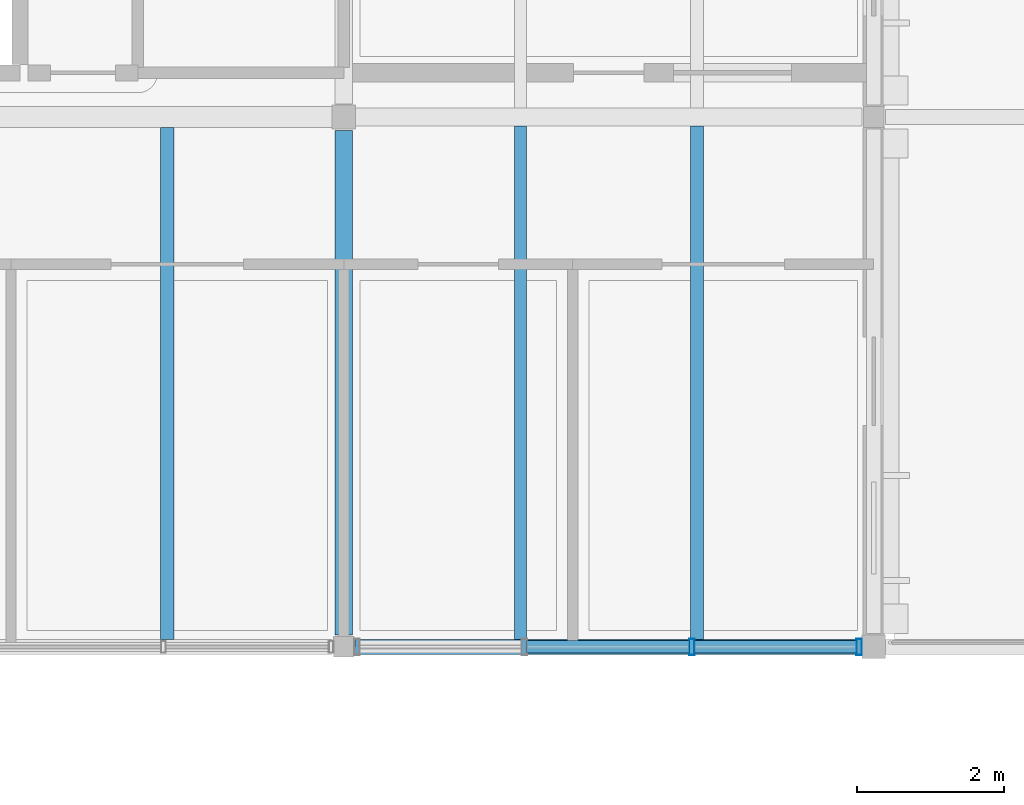
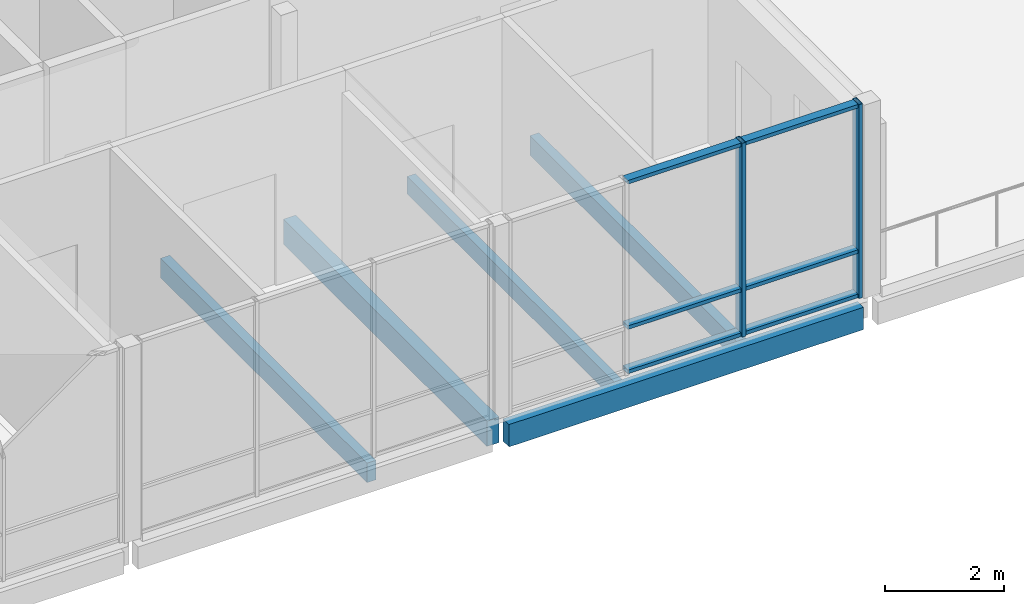
# One storey, part 18 of 57: 8 members, 5 beams, 1 element without a shape of its own.
"""IFC4 building model written with IfcOpenShell, lengths in metres."""

from ifc_helpers import new_model, si_unit, direction, frame, origin, origin_2d, place, context, subcontext, project, spatial, rectangle, hollow_rectangle, extrude, material, material_profile, profile_set, type_object, element, aggregate, save


model = new_model("IFC4")

# Units and contexts
model_context = context("Model", 3, precision=1e-05, world=origin(), true_north=direction((0.0, 1.0)))
body_context = subcontext(model_context, "Body", "Model", "MODEL_VIEW")
ifc_project = project(units=[si_unit("LENGTHUNIT", "METRE"), si_unit("AREAUNIT", "SQUARE_METRE"), si_unit("VOLUMEUNIT", "CUBIC_METRE"), si_unit("PLANEANGLEUNIT", "RADIAN"), si_unit("MASSUNIT", "GRAM", prefix="KILO")], contexts=[model_context])

# Site, building, storey
site_placement = place(None, origin())
site = spatial("IfcSite", under=ifc_project, at=site_placement, CompositionType="ELEMENT")
building_placement = place(site_placement, origin())
building = spatial("IfcBuilding", under=site, at=building_placement, Name="Hawrajan Terrace Health Centre", CompositionType="ELEMENT")
storey_placement = place(building_placement, frame((0.0, 0.0, 13.199951171875)))
storey = spatial("IfcBuildingStorey", under=building, at=storey_placement, Name="L03", CompositionType="ELEMENT", Elevation=13.199951171875)

# Curtain wall, members
ifc_material_1 = material(Name="Anodized bronze aluminium and low-E solar glazing", Category="aluminium")
curtain_wall_type = type_object("IfcCurtainWallType", Name="CW_Diagnostic_SeriesM1", PredefinedType="USERDEFINED", material=ifc_material_1)
curtain_wall_placement = place(storey_placement, origin())
curtain_wall = element("IfcCurtainWall", 1, at=curtain_wall_placement, inside=storey, type_object=curtain_wall_type, Name="Curtain wall CW-L03-167", ObjectType="UNITISED CURTAIN WALL", PredefinedType="USERDEFINED")
ifc_material_2 = material(Name="Anodized bronze aluminium 6063-T6", Category="aluminium")
ifc_material_profile_1 = material_profile(ifc_material_2, hollow_rectangle(XDim=0.074951171875, YDim=0.219970703125, WallThickness=0.0048828125, at=origin_2d()), Name="CW MUL 75x220")
ifc_profile_set_1 = profile_set([ifc_material_profile_1], Name="Anodized bronze aluminium 6063-T6")
member_type_1 = type_object("IfcMemberType", Name="CWMullion_75x220", PredefinedType="MULLION", material=ifc_profile_set_1)
member_1_placement = place(storey_placement, frame((59.7275390625, 45.39990234375, -0.0048828125), z_axis=(0.0, 0.0, 1.0), x_axis=(1.0, 0.0, 0.0)))
member_1 = element("IfcMember", 2, at=member_1_placement, type_object=member_type_1, Name="Mullion CW-L03-167-M3", PredefinedType="MULLION", context=body_context, shape_type="SweptSolid", body=[
    extrude(hollow_rectangle(XDim=0.074951171875, YDim=0.219970703125, WallThickness=0.0048828125, at=origin_2d()), origin(), (0.0, 0.0, 1.0), 3.989990234375),
])
member_2_placement = place(storey_placement, frame((62.00244140625, 45.39990234375, -0.0048828125), z_axis=(0.0, 0.0, 1.0), x_axis=(1.0, 0.0, 0.0)))
member_2 = element("IfcMember", 3, at=member_2_placement, type_object=member_type_1, Name="Mullion CW-L03-167-M4", PredefinedType="MULLION", context=body_context, shape_type="SweptSolid", body=[
    extrude(hollow_rectangle(XDim=0.074951171875, YDim=0.219970703125, WallThickness=0.0048828125, at=origin_2d()), origin(), (0.0, 0.0, 1.0), 3.989990234375),
])
ifc_material_profile_2 = material_profile(ifc_material_2, hollow_rectangle(XDim=0.074951171875, YDim=0.169921875, WallThickness=0.00439453125, at=origin_2d()), Name="CW TRN 75x170")
ifc_profile_set_2 = profile_set([ifc_material_profile_2], Name="Anodized bronze aluminium 6063-T6")
member_type_2 = type_object("IfcMemberType", Name="CWTransom_75x170", PredefinedType="USERDEFINED", material=ifc_profile_set_2)
member_3_placement = place(storey_placement, frame((57.48388671875, 45.39990234375, 0.03759765625), z_axis=(1.0, 0.0, 0.0), x_axis=(0.0, 0.0, 1.0)))
member_3 = element("IfcMember", 4, at=member_3_placement, type_object=member_type_2, Name="Transom CW-L03-167-T2-1", ObjectType="TRANSOM", PredefinedType="USERDEFINED", context=body_context, shape_type="SweptSolid", body=[
    extrude(hollow_rectangle(XDim=0.074951171875, YDim=0.169921875, WallThickness=0.00439453125, at=origin_2d()), origin(), (0.0, 0.0, 1.0), 2.212158203125),
])
member_4_placement = place(storey_placement, frame((57.48388671875, 45.39990234375, 0.949951171875), z_axis=(1.0, 0.0, 0.0), x_axis=(0.0, 0.0, 1.0)))
member_4 = element("IfcMember", 5, at=member_4_placement, type_object=member_type_2, Name="Transom CW-L03-167-T2-2", ObjectType="TRANSOM", PredefinedType="USERDEFINED", context=body_context, shape_type="SweptSolid", body=[
    extrude(hollow_rectangle(XDim=0.074951171875, YDim=0.169921875, WallThickness=0.00439453125, at=origin_2d()), origin(), (0.0, 0.0, 1.0), 2.212158203125),
])
member_5_placement = place(storey_placement, frame((57.48388671875, 45.39990234375, 3.942626953125), z_axis=(1.0, 0.0, 0.0), x_axis=(0.0, 0.0, 1.0)))
member_5 = element("IfcMember", 6, at=member_5_placement, type_object=member_type_2, Name="Transom CW-L03-167-T2-3", ObjectType="TRANSOM", PredefinedType="USERDEFINED", context=body_context, shape_type="SweptSolid", body=[
    extrude(hollow_rectangle(XDim=0.074951171875, YDim=0.169921875, WallThickness=0.00439453125, at=origin_2d()), origin(), (0.0, 0.0, 1.0), 2.212158203125),
])
member_6_placement = place(storey_placement, frame((59.759033203125, 45.39990234375, 0.03759765625), z_axis=(1.0, 0.0, 0.0), x_axis=(0.0, 0.0, 1.0)))
member_6 = element("IfcMember", 7, at=member_6_placement, type_object=member_type_2, Name="Transom CW-L03-167-T3-1", ObjectType="TRANSOM", PredefinedType="USERDEFINED", context=body_context, shape_type="SweptSolid", body=[
    extrude(hollow_rectangle(XDim=0.074951171875, YDim=0.169921875, WallThickness=0.00439453125, at=origin_2d()), origin(), (0.0, 0.0, 1.0), 2.2119140625),
])
member_7_placement = place(storey_placement, frame((59.759033203125, 45.39990234375, 0.949951171875), z_axis=(1.0, 0.0, 0.0), x_axis=(0.0, 0.0, 1.0)))
member_7 = element("IfcMember", 8, at=member_7_placement, type_object=member_type_2, Name="Transom CW-L03-167-T3-2", ObjectType="TRANSOM", PredefinedType="USERDEFINED", context=body_context, shape_type="SweptSolid", body=[
    extrude(hollow_rectangle(XDim=0.074951171875, YDim=0.169921875, WallThickness=0.00439453125, at=origin_2d()), origin(), (0.0, 0.0, 1.0), 2.2119140625),
])
member_8_placement = place(storey_placement, frame((59.759033203125, 45.39990234375, 3.942626953125), z_axis=(1.0, 0.0, 0.0), x_axis=(0.0, 0.0, 1.0)))
member_8 = element("IfcMember", 9, at=member_8_placement, type_object=member_type_2, Name="Transom CW-L03-167-T3-3", ObjectType="TRANSOM", PredefinedType="USERDEFINED", context=body_context, shape_type="SweptSolid", body=[
    extrude(hollow_rectangle(XDim=0.074951171875, YDim=0.169921875, WallThickness=0.00439453125, at=origin_2d()), origin(), (0.0, 0.0, 1.0), 2.2119140625),
])
aggregate(curtain_wall, [member_1, member_2, member_3, member_4, member_5, member_6, member_7, member_8])

# Beams
ifc_material_3 = material(Name="Glulam GL32h", Category="wood")
ifc_material_profile_3 = material_profile(ifc_material_3, rectangle(XDim=0.239990234375, YDim=0.52001953125, at=origin_2d()), Name="GL BM 240x520")
ifc_profile_set_3 = profile_set([ifc_material_profile_3], Name="Glulam GL32h")
beam_type_1 = type_object("IfcBeamType", Name="GlulamGirder_240x520", PredefinedType="BEAM", material=ifc_profile_set_3)
beam_1_placement = place(storey_placement, frame((55.0, 45.56005859375, -0.469970703125), z_axis=(0.0, 1.0, 0.0), x_axis=(-1.0, 0.0, 0.0)))
element("IfcBeam", 10, at=beam_1_placement, inside=storey, type_object=beam_type_1, Name="Beam BM-Y-L03-W-X08-6", PredefinedType="BEAM", context=body_context, shape_type="SweptSolid", body=[
    extrude(rectangle(XDim=0.239990234375, YDim=0.52001953125, at=origin_2d()), origin(), (0.0, 0.0, 1.0), 6.85986328125),
])
ifc_material_4 = material(Name="Glulam GL28h", Category="wood")
ifc_material_profile_4 = material_profile(ifc_material_4, rectangle(XDim=0.159912109375, YDim=0.360107421875, at=origin_2d()), Name="GL JST 160x360")
ifc_profile_set_4 = profile_set([ifc_material_profile_4], Name="Glulam GL28h")
beam_type_2 = type_object("IfcBeamType", Name="GlulamJoist_160x360", PredefinedType="JOIST", material=ifc_profile_set_4)
beam_2_placement = place(storey_placement, frame((57.39990234375, 45.5, -0.39990234375), z_axis=(0.0, 1.0, 0.0), x_axis=(-1.0, 0.0, 0.0)))
element("IfcBeam", 11, at=beam_2_placement, inside=storey, type_object=beam_type_2, Name="Secondary joist JST-L03-W-08-6-1", PredefinedType="JOIST", context=body_context, shape_type="SweptSolid", body=[
    extrude(rectangle(XDim=0.159912109375, YDim=0.360107421875, at=origin_2d()), origin(), (0.0, 0.0, 1.0), 6.97998046875),
])
ifc_material_profile_5 = material_profile(ifc_material_4, rectangle(XDim=0.179931640625, YDim=0.39990234375, at=origin_2d()), Name="GL JST 180x400")
ifc_profile_set_5 = profile_set([ifc_material_profile_5], Name="Glulam GL28h")
beam_type_3 = type_object("IfcBeamType", Name="GlulamJoist_180x400", PredefinedType="JOIST", material=ifc_profile_set_5)
beam_3_placement = place(storey_placement, frame((52.60009765625, 45.5, -0.409912109375), z_axis=(0.0, 1.0, 0.0), x_axis=(-1.0, 0.0, 0.0)))
element("IfcBeam", 12, at=beam_3_placement, inside=storey, type_object=beam_type_3, Name="Secondary joist JST-L03-W-07-6-2", PredefinedType="JOIST", context=body_context, shape_type="SweptSolid", body=[
    extrude(rectangle(XDim=0.179931640625, YDim=0.39990234375, at=origin_2d()), origin(), (0.0, 0.0, 1.0), 6.9599609375),
])
beam_4_placement = place(storey_placement, frame((59.800048828125, 45.5, -0.419921875), z_axis=(0.0, 1.0, 0.0), x_axis=(-1.0, 0.0, 0.0)))
element("IfcBeam", 13, at=beam_4_placement, inside=storey, type_object=beam_type_3, Name="Secondary joist JST-L03-W-08-6-2", PredefinedType="JOIST", context=body_context, shape_type="SweptSolid", body=[
    extrude(rectangle(XDim=0.179931640625, YDim=0.39990234375, at=origin_2d()), origin(), (0.0, 0.0, 1.0), 6.97998046875),
])
ifc_material_profile_6 = material_profile(ifc_material_3, rectangle(XDim=0.199951171875, YDim=0.4599609375, at=origin_2d()), Name="GL SP 200x460")
ifc_profile_set_6 = profile_set([ifc_material_profile_6], Name="Glulam GL32h")
beam_type_4 = type_object("IfcBeamType", Name="GlulamSpandrel_200x460", PredefinedType="SPANDREL", material=ifc_profile_set_6)
beam_5_placement = place(storey_placement, frame((55.159912109375, 45.39990234375, -0.449951171875), z_axis=(1.0, 0.0, 0.0), x_axis=(0.0, 1.0, 0.0)))
element("IfcBeam", 14, at=beam_5_placement, inside=storey, type_object=beam_type_4, Name="Beam BM-X-L03-W-08-Y6", PredefinedType="SPANDREL", context=body_context, shape_type="SweptSolid", body=[
    extrude(rectangle(XDim=0.199951171875, YDim=0.4599609375, at=origin_2d()), origin(), (0.0, 0.0, 1.0), 6.900146484375),
])

save(model, "model.ifc")
